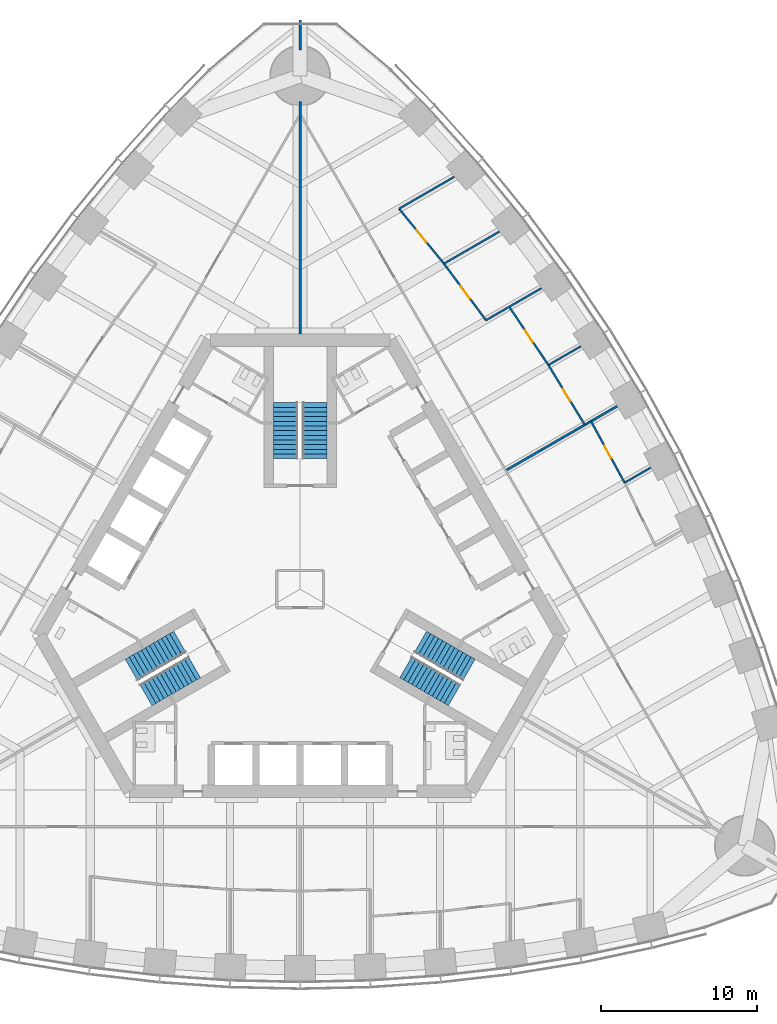
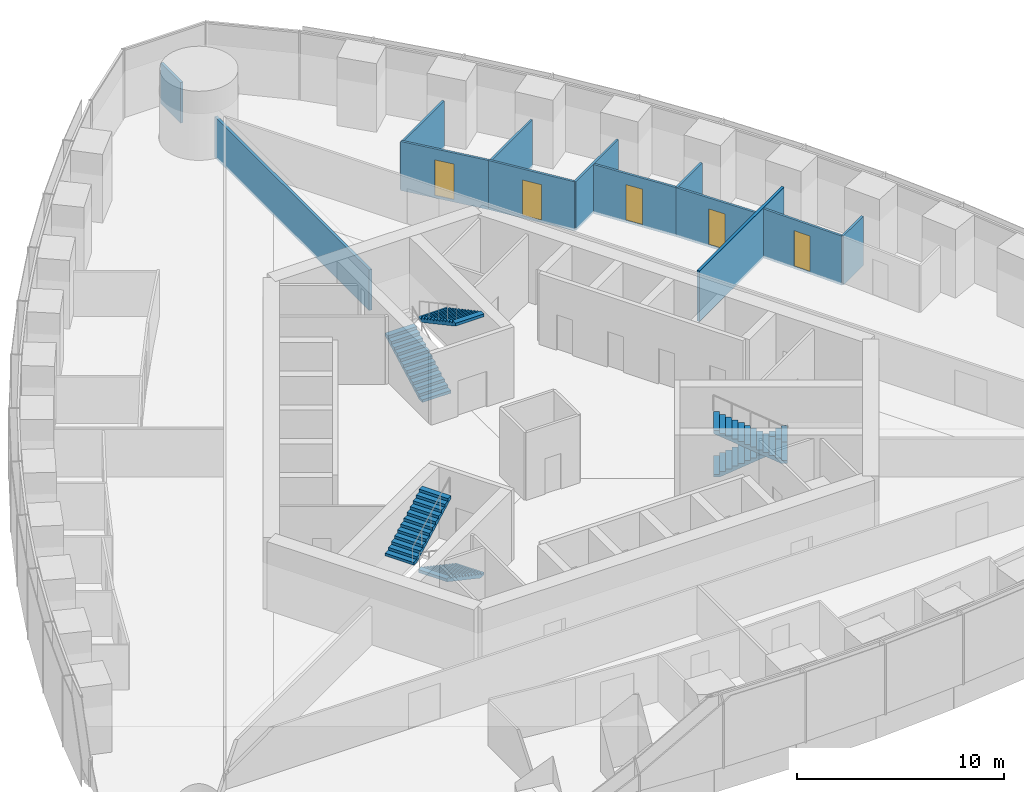
# One storey, part 14 of 19: 13 walls, 6 stair flights, 5 doors, 5 openings, 3 elements without a shape of their own.
"""IFC4 building model written with IfcOpenShell, lengths in metres."""

from ifc_helpers import new_model, si_unit, direction, frame, frame_2d, origin, place, context, subcontext, project, spatial, polyline, rectangle, outline, extrude, material, layer, layer_set, type_object, element, fill, aggregate, save


model = new_model("IFC4")

# Units and contexts
model_context = context("Model", 3, precision=1e-05, world=origin(), true_north=direction((0.0, 1.0)))
body_context = subcontext(model_context, "Body", "Model", "MODEL_VIEW")
ifc_project = project(units=[si_unit("LENGTHUNIT", "METRE"), si_unit("AREAUNIT", "SQUARE_METRE"), si_unit("VOLUMEUNIT", "CUBIC_METRE"), si_unit("PLANEANGLEUNIT", "RADIAN"), si_unit("MASSUNIT", "GRAM", prefix="KILO")], contexts=[model_context])

# Site, building, storey
site_placement = place(None, origin())
site = spatial("IfcSite", under=ifc_project, at=site_placement, CompositionType="ELEMENT")
building_placement = place(site_placement, origin())
building = spatial("IfcBuilding", under=site, at=building_placement, Name="Trefoil Bronze Tower", CompositionType="ELEMENT")
storey_placement = place(building_placement, frame((0.0, 0.0, 193.89990234375)))
storey = spatial("IfcBuildingStorey", under=building, at=storey_placement, Name="L44", CompositionType="ELEMENT", Elevation=193.89990234375)

# Wall, opening, door
ifc_material_1 = material(Name="Glazed partition", Category="glass")
ifc_layer_1 = layer(ifc_material_1, 0.1201171875)
ifc_layer_set_1 = layer_set([ifc_layer_1], Name="Glazed partition 120")
wall_type_1 = type_object("IfcWallType", Name="Glazed partition 120", PredefinedType="PARTITIONING", material=ifc_layer_set_1)
wall_1_placement = place(storey_placement, frame((18.29541015625, 10.562744140625, 0.0), z_axis=(0.0, 0.0, 1.0), x_axis=(-0.519766265397, 0.854308509472, 0.0)))
wall_1 = element("IfcWall", 1, at=wall_1_placement, inside=storey, type_object=wall_type_1, Name="Partition F2 L44", PredefinedType="PARTITIONING", context=body_context, shape_type="SweptSolid", body=[
    extrude(rectangle(XDim=4.501220703125, YDim=0.1201171875, at=frame_2d((2.25048828125, 0.0))), origin(), (0.0, 0.0, 1.0), 2.900146484375),
])
opening_1_placement = place(wall_1_placement, frame((1.800048828125, 0.0, 0.14990234375)))
opening_1 = element("IfcOpeningElement", 2, at=opening_1_placement, cuts=wall_1, Name="Opening D8", PredefinedType="OPENING", context=body_context, shape_type="SweptSolid", body=[
    extrude(rectangle(XDim=0.89990234375, YDim=2.10009765625, at=frame_2d((0.449951171875, 1.050048828125))), frame((0.0, 0.070068359375, 0.0), z_axis=(0.0, -1.0, 0.0), x_axis=(1.0, 0.0, 0.0)), (0.0, 0.0, 1.0), 0.14013671875),
])
ifc_material_2 = material(Name="Timber door", Category="wood")
door_type_1 = type_object("IfcDoorType", Name="Office door 900", OperationType="SINGLE_SWING_LEFT", PredefinedType="DOOR", material=ifc_material_2)
door_1_placement = place(opening_1_placement, frame((0.89990234375, 0.0, 0.0), z_axis=(0.0, 0.0, 1.0), x_axis=(-1.0, 0.0, 0.0)))
door_1 = element("IfcDoor", 3, at=door_1_placement, inside=storey, type_object=door_type_1, Name="Focus room door F2 L44", OperationType="SINGLE_SWING_RIGHT", OverallHeight=2.10009765625, OverallWidth=0.89990234375, PredefinedType="DOOR", context=body_context, shape_type="SweptSolid", body=[
    extrude(rectangle(XDim=0.89990234375, YDim=2.10009765625, at=frame_2d((0.449951171875, 1.050048828125))), frame((0.0, 0.02490234375, 0.0), z_axis=(0.0, -1.0, 0.0), x_axis=(1.0, 0.0, 0.0)), (0.0, 0.0, 1.0), 0.050048828125),
])
fill(opening_1, door_1)

wall_2_placement = place(storey_placement, frame((9.2421875, 20.92431640625, 0.0), z_axis=(0.0, 0.0, 1.0), x_axis=(-0.632765292047, 0.774343647989, 0.0)))
wall_2 = element("IfcWall", 4, at=wall_2_placement, inside=storey, type_object=wall_type_1, Name="Partition F2 L44", PredefinedType="PARTITIONING", context=body_context, shape_type="SweptSolid", body=[
    extrude(rectangle(XDim=4.559326171875, YDim=0.1201171875, at=frame_2d((2.27978515625, 0.0))), origin(), (0.0, 0.0, 1.0), 2.900146484375),
])
opening_2_placement = place(wall_2_placement, frame((1.800048828125, 0.0, 0.14990234375)))
opening_2 = element("IfcOpeningElement", 5, at=opening_2_placement, cuts=wall_2, Name="Opening D9", PredefinedType="OPENING", context=body_context, shape_type="SweptSolid", body=[
    extrude(rectangle(XDim=1.0, YDim=2.10009765625, at=frame_2d((0.5, 1.050048828125))), frame((0.0, 0.070068359375, 0.0), z_axis=(0.0, -1.0, 0.0), x_axis=(1.0, 0.0, 0.0)), (0.0, 0.0, 1.0), 0.14013671875),
])
ifc_material_3 = material(Name="Glazed timber door", Category="wood")
door_type_2 = type_object("IfcDoorType", Name="Meeting room door 1000", OperationType="SINGLE_SWING_LEFT", PredefinedType="DOOR", material=ifc_material_3)
door_2_placement = place(opening_2_placement, frame((1.0, 0.0, 0.0), z_axis=(0.0, 0.0, 1.0), x_axis=(-1.0, 0.0, 0.0)))
door_2 = element("IfcDoor", 6, at=door_2_placement, inside=storey, type_object=door_type_2, Name="Meeting room door F2 L44", OperationType="SINGLE_SWING_LEFT", OverallHeight=2.10009765625, OverallWidth=1.0, PredefinedType="DOOR", context=body_context, shape_type="SweptSolid", body=[
    extrude(rectangle(XDim=1.0, YDim=2.10009765625, at=frame_2d((0.5, 1.050048828125))), frame((0.0, 0.02490234375, 0.0), z_axis=(0.0, -1.0, 0.0), x_axis=(1.0, 0.0, 0.0)), (0.0, 0.0, 1.0), 0.050048828125),
])
fill(opening_2, door_2)

wall_3_placement = place(storey_placement, frame((15.955810546875, 14.408203125, 0.0), z_axis=(0.0, 0.0, 1.0), x_axis=(-0.55850386778, 0.829501916619, 0.0)))
wall_3 = element("IfcWall", 7, at=wall_3_placement, inside=storey, type_object=wall_type_1, Name="Partition F2 L44", PredefinedType="PARTITIONING", context=body_context, shape_type="SweptSolid", body=[
    extrude(rectangle(XDim=4.5107421875, YDim=0.1201171875, at=frame_2d((2.25537109375, 0.0))), origin(), (0.0, 0.0, 1.0), 2.900146484375),
])
opening_3_placement = place(wall_3_placement, frame((1.800048828125, 0.0, 0.14990234375)))
opening_3 = element("IfcOpeningElement", 8, at=opening_3_placement, cuts=wall_3, Name="Opening D8", PredefinedType="OPENING", context=body_context, shape_type="SweptSolid", body=[
    extrude(rectangle(XDim=0.89990234375, YDim=2.10009765625, at=frame_2d((0.449951171875, 1.050048828125))), frame((0.0, 0.070068359375, 0.0), z_axis=(0.0, -1.0, 0.0), x_axis=(1.0, 0.0, 0.0)), (0.0, 0.0, 1.0), 0.14013671875),
])
door_3_placement = place(opening_3_placement, frame((0.89990234375, 0.0, 0.0), z_axis=(0.0, 0.0, 1.0), x_axis=(-1.0, 0.0, 0.0)))
door_3 = element("IfcDoor", 9, at=door_3_placement, inside=storey, type_object=door_type_1, Name="Focus room door F2 L44", OperationType="SINGLE_SWING_RIGHT", OverallHeight=2.10009765625, OverallWidth=0.89990234375, PredefinedType="DOOR", context=body_context, shape_type="SweptSolid", body=[
    extrude(rectangle(XDim=0.89990234375, YDim=2.10009765625, at=frame_2d((0.449951171875, 1.050048828125))), frame((0.0, 0.02490234375, 0.0), z_axis=(0.0, -1.0, 0.0), x_axis=(1.0, 0.0, 0.0)), (0.0, 0.0, 1.0), 0.050048828125),
])
fill(opening_3, door_3)

wall_4_placement = place(storey_placement, frame((11.942626953125, 17.287353515625, 0.0), z_axis=(0.0, 0.0, 1.0), x_axis=(-0.59613842716, 0.802881669777, 0.0)))
wall_4 = element("IfcWall", 10, at=wall_4_placement, inside=storey, type_object=wall_type_1, Name="Partition F2 L44", PredefinedType="PARTITIONING", context=body_context, shape_type="SweptSolid", body=[
    extrude(rectangle(XDim=4.52978515625, YDim=0.1201171875, at=frame_2d((2.264892578125, 0.0))), origin(), (0.0, 0.0, 1.0), 2.900146484375),
])
opening_4_placement = place(wall_4_placement, frame((1.75, 0.0, 0.14990234375)))
opening_4 = element("IfcOpeningElement", 11, at=opening_4_placement, cuts=wall_4, Name="Opening D9", PredefinedType="OPENING", context=body_context, shape_type="SweptSolid", body=[
    extrude(rectangle(XDim=1.0, YDim=2.10009765625, at=frame_2d((0.5, 1.050048828125))), frame((0.0, 0.070068359375, 0.0), z_axis=(0.0, -1.0, 0.0), x_axis=(1.0, 0.0, 0.0)), (0.0, 0.0, 1.0), 0.14013671875),
])
door_4_placement = place(opening_4_placement, frame((1.0, 0.0, 0.0), z_axis=(0.0, 0.0, 1.0), x_axis=(-1.0, 0.0, 0.0)))
door_4 = element("IfcDoor", 12, at=door_4_placement, inside=storey, type_object=door_type_2, Name="Meeting room door F2 L44", OperationType="SINGLE_SWING_RIGHT", OverallHeight=2.10009765625, OverallWidth=1.0, PredefinedType="DOOR", context=body_context, shape_type="SweptSolid", body=[
    extrude(rectangle(XDim=1.0, YDim=2.10009765625, at=frame_2d((0.5, 1.050048828125))), frame((0.0, 0.02490234375, 0.0), z_axis=(0.0, -1.0, 0.0), x_axis=(1.0, 0.0, 0.0)), (0.0, 0.0, 1.0), 0.050048828125),
])
fill(opening_4, door_4)

wall_5_placement = place(storey_placement, frame((20.854248046875, 6.843994140625, 0.0), z_axis=(0.0, 0.0, 1.0), x_axis=(-0.480014565702, 0.877260518155, 0.0)))
wall_5 = element("IfcWall", 13, at=wall_5_placement, inside=storey, type_object=wall_type_1, Name="Partition F2 L44", PredefinedType="PARTITIONING", context=body_context, shape_type="SweptSolid", body=[
    extrude(rectangle(XDim=4.501220703125, YDim=0.1201171875, at=frame_2d((2.25048828125, 0.0))), origin(), (0.0, 0.0, 1.0), 2.900146484375),
])
opening_5_placement = place(wall_5_placement, frame((1.800048828125, 0.0, 0.14990234375)))
opening_5 = element("IfcOpeningElement", 14, at=opening_5_placement, cuts=wall_5, Name="Opening D8", PredefinedType="OPENING", context=body_context, shape_type="SweptSolid", body=[
    extrude(rectangle(XDim=0.89990234375, YDim=2.10009765625, at=frame_2d((0.449951171875, 1.050048828125))), frame((0.0, 0.070068359375, 0.0), z_axis=(0.0, -1.0, 0.0), x_axis=(1.0, 0.0, 0.0)), (0.0, 0.0, 1.0), 0.14013671875),
])
door_5_placement = place(opening_5_placement, frame((0.89990234375, 0.0, 0.0), z_axis=(0.0, 0.0, 1.0), x_axis=(-1.0, 0.0, 0.0)))
door_5 = element("IfcDoor", 15, at=door_5_placement, inside=storey, type_object=door_type_1, Name="Print and store room door F2 L44", OperationType="SINGLE_SWING_RIGHT", OverallHeight=2.10009765625, OverallWidth=0.89990234375, PredefinedType="DOOR", context=body_context, shape_type="SweptSolid", body=[
    extrude(rectangle(XDim=0.89990234375, YDim=2.10009765625, at=frame_2d((0.449951171875, 1.050048828125))), frame((0.0, 0.02490234375, 0.0), z_axis=(0.0, -1.0, 0.0), x_axis=(1.0, 0.0, 0.0)), (0.0, 0.0, 1.0), 0.050048828125),
])
fill(opening_5, door_5)

# Walls
wall_6_placement = place(storey_placement, frame((9.2421875, 20.92431640625, 0.0), z_axis=(0.0, 0.0, 1.0), x_axis=(0.866016197294, 0.500015945769, 0.0)))
element("IfcWall", 16, at=wall_6_placement, inside=storey, type_object=wall_type_1, Name="Partition F2 L44", PredefinedType="PARTITIONING", context=body_context, shape_type="SweptSolid", body=[
    extrude(rectangle(XDim=4.104248046875, YDim=0.1201171875, at=frame_2d((2.05224609375, 0.0))), origin(), (0.0, 0.0, 1.0), 2.800048828125),
])
wall_7_placement = place(storey_placement, frame((6.357177734375, 24.454833984375, 0.0), z_axis=(0.0, 0.0, 1.0), x_axis=(0.866005746929, 0.500034045127, 0.0)))
element("IfcWall", 17, at=wall_7_placement, inside=storey, type_object=wall_type_1, Name="Partition F2 L44", PredefinedType="PARTITIONING", context=body_context, shape_type="SweptSolid", body=[
    extrude(rectangle(XDim=4.092041015625, YDim=0.1201171875, at=frame_2d((2.0458984375, 0.0))), origin(), (0.0, 0.0, 1.0), 2.800048828125),
])
wall_8_placement = place(storey_placement, frame((15.955810546875, 14.408203125, 0.0), z_axis=(0.0, 0.0, 1.0), x_axis=(0.86598681336, 0.50006683462, 0.0)))
element("IfcWall", 18, at=wall_8_placement, inside=storey, type_object=wall_type_1, Name="Partition F2 L44", PredefinedType="PARTITIONING", context=body_context, shape_type="SweptSolid", body=[
    extrude(rectangle(XDim=2.393310546875, YDim=0.1201171875, at=frame_2d((1.19677734375, 0.0))), origin(), (0.0, 0.0, 1.0), 2.900146484375),
])
wall_9_placement = place(storey_placement, frame((11.942626953125, 17.287353515625, 0.0), z_axis=(0.0, 0.0, 1.0), x_axis=(0.866013591525, 0.500020458876, 0.0)))
element("IfcWall", 19, at=wall_9_placement, inside=storey, type_object=wall_type_1, Name="Partition F2 L44", PredefinedType="PARTITIONING", context=body_context, shape_type="SweptSolid", body=[
    extrude(rectangle(XDim=4.113037109375, YDim=0.1201171875, at=frame_2d((2.056640625, 0.0))), origin(), (0.0, 0.0, 1.0), 2.900146484375),
])
wall_10_placement = place(storey_placement, frame((20.854248046875, 6.843994140625, 0.0), z_axis=(0.0, 0.0, 1.0), x_axis=(0.866019431537, 0.500010344094, 0.0)))
element("IfcWall", 20, at=wall_10_placement, inside=storey, type_object=wall_type_1, Name="Partition F2 L44", PredefinedType="PARTITIONING", context=body_context, shape_type="SweptSolid", body=[
    extrude(rectangle(XDim=1.93310546875, YDim=0.1201171875, at=frame_2d((0.966552734375, 0.0))), origin(), (0.0, 0.0, 1.0), 2.900146484375),
])
ifc_material_4 = material(Name="Gypsum board on steel studs", Category="steel")
ifc_layer_2 = layer(ifc_material_4, 0.14990234375)
ifc_layer_set_2 = layer_set([ifc_layer_2], Name="Party wall 150")
wall_type_2 = type_object("IfcWallType", Name="Party wall 150", PredefinedType="PARTITIONING", material=ifc_layer_set_2)
wall_11_placement = place(storey_placement, frame((0.0, 16.39990234375, 0.0), z_axis=(0.0, 0.0, 1.0), x_axis=(0.0, 1.0, 0.0)))
element("IfcWall", 21, at=wall_11_placement, inside=storey, type_object=wall_type_2, Name="Party wall K2 L44", PredefinedType="PARTITIONING", context=body_context, shape_type="SweptSolid", body=[
    extrude(rectangle(XDim=14.9501953125, YDim=0.14990234375, at=frame_2d((7.47509765625, 0.0))), origin(), (0.0, 0.0, 1.0), 2.400146484375),
])
wall_12_placement = place(storey_placement, frame((0.0, 34.64990234375, 0.0), z_axis=(0.0, 0.0, 1.0), x_axis=(0.0, 1.0, 0.0)))
element("IfcWall", 22, at=wall_12_placement, inside=storey, type_object=wall_type_2, Name="Party wall K2 L44", PredefinedType="PARTITIONING", context=body_context, shape_type="SweptSolid", body=[
    extrude(rectangle(XDim=1.934814453125, YDim=0.14990234375, at=frame_2d((0.96728515625, 0.0))), origin(), (0.0, 0.0, 1.0), 2.400146484375),
])
wall_13_placement = place(storey_placement, frame((13.267578125, 7.659912109375, 0.0), z_axis=(0.0, 0.0, 1.0), x_axis=(0.866019499219, 0.500010226868, 0.0)))
element("IfcWall", 23, at=wall_13_placement, inside=storey, type_object=wall_type_2, Name="Demising wall F2 L44", PredefinedType="PARTITIONING", context=body_context, shape_type="SweptSolid", body=[
    extrude(rectangle(XDim=8.200439453125, YDim=0.14990234375, at=frame_2d((4.10009765625, 0.0))), origin(), (0.0, 0.0, 1.0), 2.9921875),
])

# Stair, stair flights
ifc_material_5 = material(Name="Precast concrete B80", Category="concrete")
stair_type = type_object("IfcStairType", Name="Exit stair 26 risers", PredefinedType="HALF_TURN_STAIR", material=ifc_material_5)
stair_1_placement = place(storey_placement, origin())
stair_1 = element("IfcStair", 24, at=stair_1_placement, inside=storey, type_object=stair_type, Name="Stair ST1 L44", PredefinedType="HALF_TURN_STAIR")
ifc_material_6 = material(Name="Precast concrete B80", Category="concrete")
stair_flight_type = type_object("IfcStairFlightType", Name="Stair flight 1600", PredefinedType="STRAIGHT", material=ifc_material_6)
stair_flight_1_placement = place(storey_placement, frame((7.728515625, -3.39404296875, 0.0), z_axis=(0.0, 0.0, 1.0), x_axis=(0.866025403784, -0.5, 0.0)))
stair_flight_1 = element("IfcStairFlight", 25, at=stair_flight_1_placement, type_object=stair_flight_type, Name="ST1 flight 1", NumberOfRisers=13, NumberOfTreads=12, PredefinedType="STRAIGHT", RiserHeight=0.161538462, TreadLength=0.3, context=body_context, shape_type="SweptSolid", body=[
    extrude(outline(polyline([(0.0, 0.0), (0.0, 0.16162109375), (0.300048828125, 0.16162109375), (0.300048828125, 0.322998046875), (0.60009765625, 0.322998046875), (0.60009765625, 0.484619140625), (0.89990234375, 0.484619140625), (0.89990234375, 0.646240234375), (1.199951171875, 0.646240234375), (1.199951171875, 0.8076171875), (1.5, 0.8076171875), (1.5, 0.96923828125), (1.800048828125, 0.96923828125), (1.800048828125, 1.130859375), (2.10009765625, 1.130859375), (2.10009765625, 1.292236328125), (2.39990234375, 1.292236328125), (2.39990234375, 1.453857421875), (2.699951171875, 1.453857421875), (2.699951171875, 1.615478515625), (3.0, 1.615478515625), (3.0, 1.77685546875), (3.300048828125, 1.77685546875), (3.300048828125, 1.9384765625), (3.60009765625, 1.9384765625), (3.60009765625, 2.10009765625), (3.60009765625, 1.768310546875), (0.316162109375, 0.0), (0.0, 0.0)])), frame((0.0, 0.800048828125, 0.0), z_axis=(0.0, -1.0, 0.0), x_axis=(1.0, 0.0, 0.0)), (0.0, 0.0, 1.0), 1.60009765625),
])
stair_flight_2_placement = place(storey_placement, frame((9.921142578125, -6.796142578125, 2.10009765625), z_axis=(0.0, 0.0, 1.0), x_axis=(-0.866025403784, 0.5, 0.0)))
stair_flight_2 = element("IfcStairFlight", 26, at=stair_flight_2_placement, type_object=stair_flight_type, Name="ST1 flight 2", NumberOfRisers=13, NumberOfTreads=12, PredefinedType="STRAIGHT", RiserHeight=0.161538462, TreadLength=0.3, context=body_context, shape_type="SweptSolid", body=[
    extrude(outline(polyline([(0.0, 0.0), (0.0, 0.16162109375), (0.300048828125, 0.16162109375), (0.300048828125, 0.322998046875), (0.60009765625, 0.322998046875), (0.60009765625, 0.484619140625), (0.89990234375, 0.484619140625), (0.89990234375, 0.646240234375), (1.199951171875, 0.646240234375), (1.199951171875, 0.8076171875), (1.5, 0.8076171875), (1.5, 0.96923828125), (1.800048828125, 0.96923828125), (1.800048828125, 1.130859375), (2.10009765625, 1.130859375), (2.10009765625, 1.292236328125), (2.39990234375, 1.292236328125), (2.39990234375, 1.453857421875), (2.699951171875, 1.453857421875), (2.699951171875, 1.615478515625), (3.0, 1.615478515625), (3.0, 1.77685546875), (3.300048828125, 1.77685546875), (3.300048828125, 1.9384765625), (3.60009765625, 1.9384765625), (3.60009765625, 2.10009765625), (3.60009765625, 1.768310546875), (0.316162109375, 0.0), (0.0, 0.0)])), frame((0.0, 0.800048828125, 0.0), z_axis=(0.0, -1.0, 0.0), x_axis=(1.0, 0.0, 0.0)), (0.0, 0.0, 1.0), 1.60009765625),
])
aggregate(stair_1, [stair_flight_1, stair_flight_2])

stair_2_placement = place(storey_placement, origin())
stair_2 = element("IfcStair", 27, at=stair_2_placement, inside=storey, type_object=stair_type, Name="Stair ST2 L44", PredefinedType="HALF_TURN_STAIR")
stair_flight_3_placement = place(storey_placement, frame((-0.925048828125, 8.389892578125, 0.0), z_axis=(0.0, 0.0, 1.0), x_axis=(0.0, 1.0, 0.0)))
stair_flight_3 = element("IfcStairFlight", 28, at=stair_flight_3_placement, type_object=stair_flight_type, Name="ST2 flight 1", NumberOfRisers=13, NumberOfTreads=12, PredefinedType="STRAIGHT", RiserHeight=0.161538462, TreadLength=0.3, context=body_context, shape_type="SweptSolid", body=[
    extrude(outline(polyline([(0.0, 0.0), (0.0, 0.16162109375), (0.300048828125, 0.16162109375), (0.300048828125, 0.322998046875), (0.60009765625, 0.322998046875), (0.60009765625, 0.484619140625), (0.89990234375, 0.484619140625), (0.89990234375, 0.646240234375), (1.199951171875, 0.646240234375), (1.199951171875, 0.8076171875), (1.5, 0.8076171875), (1.5, 0.96923828125), (1.800048828125, 0.96923828125), (1.800048828125, 1.130859375), (2.10009765625, 1.130859375), (2.10009765625, 1.292236328125), (2.39990234375, 1.292236328125), (2.39990234375, 1.453857421875), (2.699951171875, 1.453857421875), (2.699951171875, 1.615478515625), (3.0, 1.615478515625), (3.0, 1.77685546875), (3.300048828125, 1.77685546875), (3.300048828125, 1.9384765625), (3.60009765625, 1.9384765625), (3.60009765625, 2.10009765625), (3.60009765625, 1.768310546875), (0.316162109375, 0.0), (0.0, 0.0)])), frame((0.0, 0.800048828125, 0.0), z_axis=(0.0, -1.0, 0.0), x_axis=(1.0, 0.0, 0.0)), (0.0, 0.0, 1.0), 1.60009765625),
])
stair_flight_4_placement = place(storey_placement, frame((0.925048828125, 11.989990234375, 2.10009765625), z_axis=(0.0, 0.0, 1.0), x_axis=(0.0, -1.0, 0.0)))
stair_flight_4 = element("IfcStairFlight", 29, at=stair_flight_4_placement, type_object=stair_flight_type, Name="ST2 flight 2", NumberOfRisers=13, NumberOfTreads=12, PredefinedType="STRAIGHT", RiserHeight=0.161538462, TreadLength=0.3, context=body_context, shape_type="SweptSolid", body=[
    extrude(outline(polyline([(0.0, 0.0), (0.0, 0.16162109375), (0.300048828125, 0.16162109375), (0.300048828125, 0.322998046875), (0.60009765625, 0.322998046875), (0.60009765625, 0.484619140625), (0.89990234375, 0.484619140625), (0.89990234375, 0.646240234375), (1.199951171875, 0.646240234375), (1.199951171875, 0.8076171875), (1.5, 0.8076171875), (1.5, 0.96923828125), (1.800048828125, 0.96923828125), (1.800048828125, 1.130859375), (2.10009765625, 1.130859375), (2.10009765625, 1.292236328125), (2.39990234375, 1.292236328125), (2.39990234375, 1.453857421875), (2.699951171875, 1.453857421875), (2.699951171875, 1.615478515625), (3.0, 1.615478515625), (3.0, 1.77685546875), (3.300048828125, 1.77685546875), (3.300048828125, 1.9384765625), (3.60009765625, 1.9384765625), (3.60009765625, 2.10009765625), (3.60009765625, 1.768310546875), (0.316162109375, 0.0), (0.0, 0.0)])), frame((0.0, 0.800048828125, 0.0), z_axis=(0.0, -1.0, 0.0), x_axis=(1.0, 0.0, 0.0)), (0.0, 0.0, 1.0), 1.60009765625),
])
aggregate(stair_2, [stair_flight_3, stair_flight_4])

stair_3_placement = place(storey_placement, origin())
stair_3 = element("IfcStair", 30, at=stair_3_placement, inside=storey, type_object=stair_type, Name="Stair ST3 L44", PredefinedType="HALF_TURN_STAIR")
stair_flight_5_placement = place(storey_placement, frame((-6.803466796875, -4.99609375, 0.0), z_axis=(0.0, 0.0, 1.0), x_axis=(-0.866025403784, -0.5, 0.0)))
stair_flight_5 = element("IfcStairFlight", 31, at=stair_flight_5_placement, type_object=stair_flight_type, Name="ST3 flight 1", NumberOfRisers=13, NumberOfTreads=12, PredefinedType="STRAIGHT", RiserHeight=0.161538462, TreadLength=0.3, context=body_context, shape_type="SweptSolid", body=[
    extrude(outline(polyline([(0.0, 0.0), (0.0, 0.16162109375), (0.300048828125, 0.16162109375), (0.300048828125, 0.322998046875), (0.60009765625, 0.322998046875), (0.60009765625, 0.484619140625), (0.89990234375, 0.484619140625), (0.89990234375, 0.646240234375), (1.199951171875, 0.646240234375), (1.199951171875, 0.8076171875), (1.5, 0.8076171875), (1.5, 0.96923828125), (1.800048828125, 0.96923828125), (1.800048828125, 1.130859375), (2.10009765625, 1.130859375), (2.10009765625, 1.292236328125), (2.39990234375, 1.292236328125), (2.39990234375, 1.453857421875), (2.699951171875, 1.453857421875), (2.699951171875, 1.615478515625), (3.0, 1.615478515625), (3.0, 1.77685546875), (3.300048828125, 1.77685546875), (3.300048828125, 1.9384765625), (3.60009765625, 1.9384765625), (3.60009765625, 2.10009765625), (3.60009765625, 1.768310546875), (0.316162109375, 0.0), (0.0, 0.0)])), frame((0.0, 0.800048828125, 0.0), z_axis=(0.0, -1.0, 0.0), x_axis=(1.0, 0.0, 0.0)), (0.0, 0.0, 1.0), 1.60009765625),
])
stair_flight_6_placement = place(storey_placement, frame((-10.84619140625, -5.19384765625, 2.10009765625), z_axis=(0.0, 0.0, 1.0), x_axis=(0.866025403784, 0.5, 0.0)))
stair_flight_6 = element("IfcStairFlight", 32, at=stair_flight_6_placement, type_object=stair_flight_type, Name="ST3 flight 2", NumberOfRisers=13, NumberOfTreads=12, PredefinedType="STRAIGHT", RiserHeight=0.161538462, TreadLength=0.3, context=body_context, shape_type="SweptSolid", body=[
    extrude(outline(polyline([(0.0, 0.0), (0.0, 0.16162109375), (0.300048828125, 0.16162109375), (0.300048828125, 0.322998046875), (0.60009765625, 0.322998046875), (0.60009765625, 0.484619140625), (0.89990234375, 0.484619140625), (0.89990234375, 0.646240234375), (1.199951171875, 0.646240234375), (1.199951171875, 0.8076171875), (1.5, 0.8076171875), (1.5, 0.96923828125), (1.800048828125, 0.96923828125), (1.800048828125, 1.130859375), (2.10009765625, 1.130859375), (2.10009765625, 1.292236328125), (2.39990234375, 1.292236328125), (2.39990234375, 1.453857421875), (2.699951171875, 1.453857421875), (2.699951171875, 1.615478515625), (3.0, 1.615478515625), (3.0, 1.77685546875), (3.300048828125, 1.77685546875), (3.300048828125, 1.9384765625), (3.60009765625, 1.9384765625), (3.60009765625, 2.10009765625), (3.60009765625, 1.768310546875), (0.316162109375, 0.0), (0.0, 0.0)])), frame((0.0, 0.800048828125, 0.0), z_axis=(0.0, -1.0, 0.0), x_axis=(1.0, 0.0, 0.0)), (0.0, 0.0, 1.0), 1.60009765625),
])
aggregate(stair_3, [stair_flight_5, stair_flight_6])

save(model, "model.ifc")
